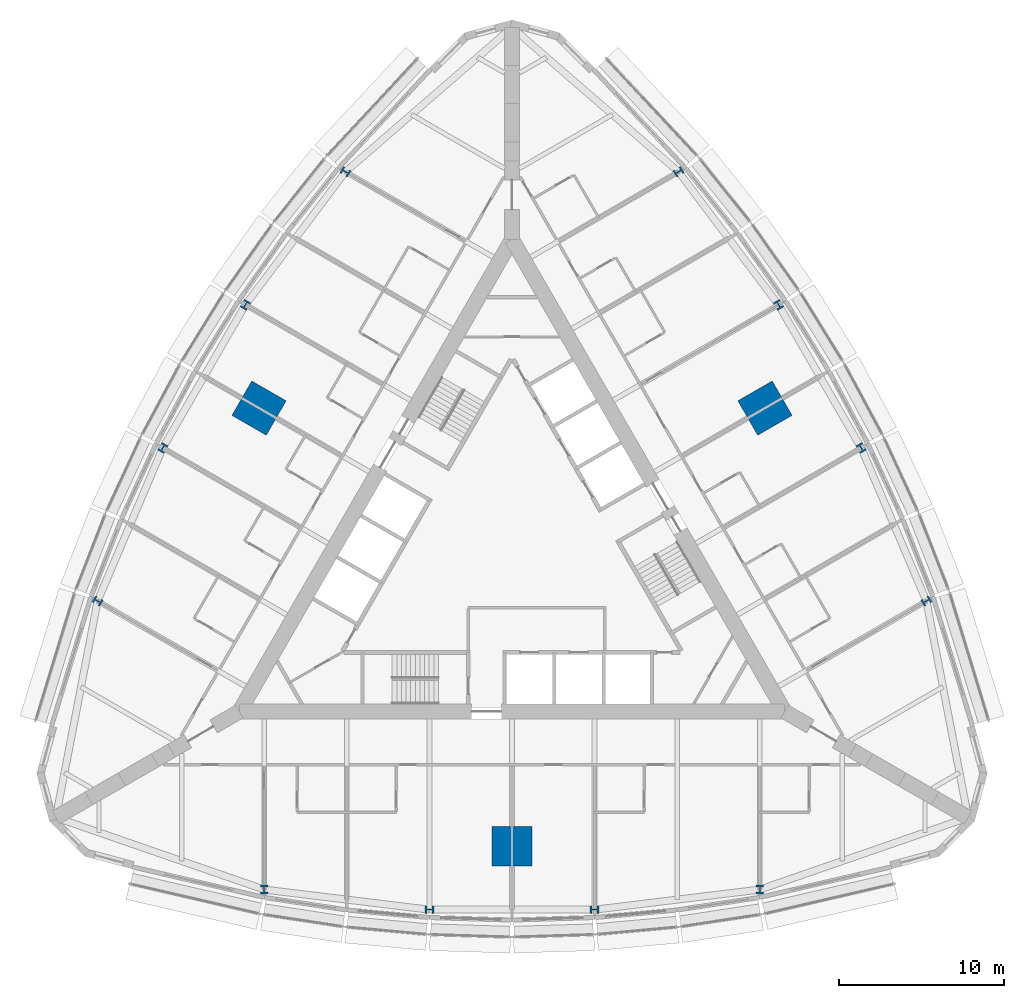
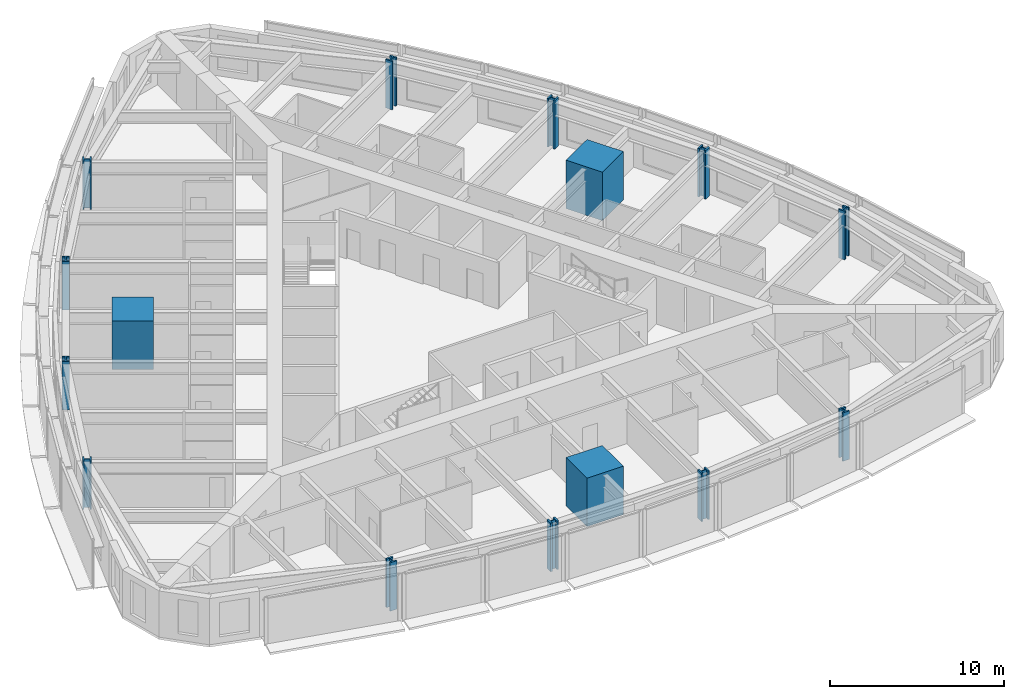
# One storey, part 1 of 14: 15 columns.
"""IFC4 building model written with IfcOpenShell, lengths in metres."""

import ifcopenshell
import ifcopenshell.guid

model = None  # the IFC model being written
_history = None  # IfcOwnerHistory: only IFC2X3 demands one
_inside = {}  # id of a spatial element -> (the spatial element, [elements in it])
_under = {}  # id of a project, library or spatial element -> (it, [spatial elements below it])
_declared = {}  # id of a project -> (the project, [libraries it declares])
_typed = {}  # id of a type object -> (the type object, [elements of that type])
_made_of = {}  # id of a material, layer set ... -> (it, [elements and type objects made of it])


def new_model(schema):
    """Start an empty IFC model of exactly this schema.

    Asked for "IFC4X3", IfcOpenShell would pick the latest addendum, in which some entities
    have other attributes; the version numbers below select the first issue.
    IFC2X3 requires an IfcOwnerHistory on every rooted entity: one is made here for all.
    """
    global model, _history
    if schema == "IFC4X3":
        model = ifcopenshell.file(schema_version=(4, 3, 0, 0))
    else:
        model = ifcopenshell.file(schema=schema)
    _inside.clear()
    _under.clear()
    _declared.clear()
    _typed.clear()
    _made_of.clear()
    _history = None
    if model.schema == "IFC2X3":
        org = make("IfcOrganization", Name="unknown")
        user = make(
            "IfcPersonAndOrganization",
            ThePerson=make("IfcPerson", FamilyName="unknown"),
            TheOrganization=org,
        )
        app = make(
            "IfcApplication",
            ApplicationDeveloper=org,
            Version="unknown",
            ApplicationFullName="unknown",
            ApplicationIdentifier="unknown",
        )
        _history = make(
            "IfcOwnerHistory",
            OwningUser=user,
            OwningApplication=app,
            ChangeAction="ADDED",
            CreationDate=0,
        )
    return model


def make(cls, **values):
    """One entity of the class cls with the attributes given. An attribute that is None is left unset."""
    return model.create_entity(
        cls, **{name: value for name, value in values.items() if value is not None}
    )


def rooted(cls, **values):
    """An entity with a GlobalId (a new one), such as an element, a storey or a relation."""
    return make(cls, GlobalId=ifcopenshell.guid.new(), OwnerHistory=_history, **values)


def si_unit(unit_type, name, prefix=None):
    """IfcSIUnit, for example si_unit("LENGTHUNIT", "METRE", prefix="MILLI")."""
    return make("IfcSIUnit", UnitType=unit_type, Prefix=prefix, Name=name)


def assignment(units):
    """IfcUnitAssignment: the units of a project."""
    return None if units is None else make("IfcUnitAssignment", Units=units)


def point(xyz):
    """IfcCartesianPoint."""
    return None if xyz is None else make("IfcCartesianPoint", Coordinates=xyz)


def direction(xyz):
    """IfcDirection."""
    return None if xyz is None else make("IfcDirection", DirectionRatios=xyz)


def frame(location, z_axis=None, x_axis=None):
    """IfcAxis2Placement3D, a coordinate frame: its origin and axes. An axis left out is left unset."""
    return make(
        "IfcAxis2Placement3D",
        Location=point(location),
        Axis=direction(z_axis),
        RefDirection=direction(x_axis),
    )


def frame_2d(location, x_axis=None):
    """IfcAxis2Placement2D, a coordinate frame in the plane: its origin and x axis."""
    return make(
        "IfcAxis2Placement2D", Location=point(location), RefDirection=direction(x_axis)
    )


def origin():
    """The frame at (0, 0, 0) with its axes left unset."""
    return frame((0.0, 0.0, 0.0))


def origin_2d():
    """The frame at (0, 0) in the plane with its x axis left unset."""
    return frame_2d((0.0, 0.0))


def place(relative_to, where):
    """IfcLocalPlacement: puts the frame where relative to a parent placement (None: the world)."""
    return make(
        "IfcLocalPlacement", PlacementRelTo=relative_to, RelativePlacement=where
    )


def context(
    kind, dimensions, precision=None, world=None, true_north=None, identifier=None
):
    """IfcGeometricRepresentationContext, for example the 3D "Model" context."""
    return make(
        "IfcGeometricRepresentationContext",
        ContextIdentifier=identifier,
        ContextType=kind,
        CoordinateSpaceDimension=dimensions,
        Precision=precision,
        WorldCoordinateSystem=world,
        TrueNorth=true_north,
    )


def subcontext(parent, identifier, kind, view, scale=None):
    """IfcGeometricRepresentationSubContext, for example "Body" below "Model"."""
    return make(
        "IfcGeometricRepresentationSubContext",
        ContextIdentifier=identifier,
        ContextType=kind,
        ParentContext=parent,
        TargetScale=scale,
        TargetView=view,
    )


def project(units=None, contexts=None):
    """IfcProject with its units and contexts."""
    return rooted(
        "IfcProject",
        Name="project",
        RepresentationContexts=contexts,
        UnitsInContext=assignment(units),
    )


def spatial(cls, under=None, at=None, **own):
    """A site, building, storey or space (cls), placed at a placement, below another one or the project."""
    s = rooted(cls, ObjectPlacement=at, **own)
    if under is not None:
        _under.setdefault(under.id(), (under, []))[1].append(s)
    return s


def profile(cls, at=None, kind="AREA", **sizes):
    """A parametric profile (cls). Its sizes go by their IFC names, for example OverallWidth=200.0."""
    return make(cls, ProfileType=kind, Position=at, **sizes)


def rectangle(**sizes):
    """IfcRectangleProfileDef."""
    return profile("IfcRectangleProfileDef", **sizes)


def i_section(**sizes):
    """IfcIShapeProfileDef."""
    return profile("IfcIShapeProfileDef", **sizes)


def extrude(swept, where, along, depth):
    """IfcExtrudedAreaSolid: the profile swept, set in the frame where, extruded along a direction by depth."""
    return make(
        "IfcExtrudedAreaSolid",
        SweptArea=swept,
        Position=where,
        ExtrudedDirection=direction(along),
        Depth=depth,
    )


def shape(context_of_items, identifier, shape_type, items):
    """IfcShapeRepresentation: the items that make up one representation, for example the "Body"."""
    return make(
        "IfcShapeRepresentation",
        ContextOfItems=context_of_items,
        RepresentationIdentifier=identifier,
        RepresentationType=shape_type,
        Items=items,
    )


def material(Name=None, Category=None):
    """IfcMaterial."""
    return make("IfcMaterial", Name=Name, Category=Category)


def material_profile(
    of_material, cross_section, Name=None, Category=None, Priority=None
):
    """IfcMaterialProfile: a cross section and its material."""
    return make(
        "IfcMaterialProfile",
        Name=Name,
        Material=of_material,
        Profile=cross_section,
        Priority=Priority,
        Category=Category,
    )


def profile_set(profiles, Name=None, composite=None):
    """IfcMaterialProfileSet."""
    return make(
        "IfcMaterialProfileSet",
        Name=Name,
        MaterialProfiles=profiles,
        CompositeProfile=composite,
    )


def made_of(thing, what):
    """Note that an element or type object is made of a material, layer set ...; save() writes the relation."""
    if what is not None:
        _made_of.setdefault(what.id(), (what, []))[1].append(thing)
    return thing


def type_object(cls, material=None, **own):
    """A type object (cls), such as IfcWallType, which elements share."""
    return made_of(rooted(cls, **own), material)


def element(
    cls,
    number,
    at=None,
    inside=None,
    cuts=None,
    type_object=None,
    material=None,
    context=None,
    identifier="Body",
    shape_type=None,
    held_by="IfcProductDefinitionShape",
    body=None,
    shapes=None,
    **own,
):
    """One element of the class cls, such as IfcWall. Its Tag is "e" and its number.

    at: its placement. inside: the storey or other place that contains it. cuts: it is an
    opening in that element (IfcRelVoidsElement). A single representation is given by context,
    identifier, shape_type and body (its items); several are given by shapes. held_by: the class
    of the entity that holds the representations. save() writes the other relations.
    """
    e = rooted(cls, Tag="e%d" % number, ObjectPlacement=at, **own)
    if body is not None:
        shapes = [shape(context, identifier, shape_type, body)]
    if shapes is not None:
        e.Representation = make(held_by, Representations=shapes)
    if inside is not None:
        _inside.setdefault(inside.id(), (inside, []))[1].append(e)
    if cuts is not None:
        rooted(
            "IfcRelVoidsElement", RelatingBuildingElement=cuts, RelatedOpeningElement=e
        )
    if type_object is not None:
        _typed.setdefault(type_object.id(), (type_object, []))[1].append(e)
    return made_of(e, material)


def aggregate(whole, parts):
    """IfcRelAggregates: a whole, such as a stair, and the parts it consists of."""
    return rooted("IfcRelAggregates", RelatingObject=whole, RelatedObjects=parts)


def save(model, path):
    """Write the relations noted so far, then the file.

    IfcRelAggregates (storeys below a building ...), IfcRelContainedInSpatialStructure (elements
    in a storey), IfcRelDefinesByType, IfcRelAssociatesMaterial and IfcRelDeclares: one each for
    every whole, place, type object, material and project.
    """
    for whole, parts in _under.values():
        aggregate(whole, parts)
    for where, things in _inside.values():
        rooted(
            "IfcRelContainedInSpatialStructure",
            RelatedElements=things,
            RelatingStructure=where,
        )
    for kind, things in _typed.values():
        rooted("IfcRelDefinesByType", RelatedObjects=things, RelatingType=kind)
    for what, things in _made_of.values():
        rooted("IfcRelAssociatesMaterial", RelatedObjects=things, RelatingMaterial=what)
    for by, libraries in _declared.values():
        rooted("IfcRelDeclares", RelatingContext=by, RelatedDefinitions=libraries)
    model.write(path)


model = new_model("IFC4")

# Units and contexts
model_context = context("Model", 3, precision=1e-05, world=origin(), true_north=direction((0.0, 1.0)))
body_context = subcontext(model_context, "Body", "Model", "MODEL_VIEW")
ifc_project = project(units=[si_unit("LENGTHUNIT", "METRE"), si_unit("AREAUNIT", "SQUARE_METRE"), si_unit("VOLUMEUNIT", "CUBIC_METRE"), si_unit("PLANEANGLEUNIT", "RADIAN"), si_unit("MASSUNIT", "GRAM", prefix="KILO")], contexts=[model_context])

# Site, building, storey
site_placement = place(None, origin())
site = spatial("IfcSite", under=ifc_project, at=site_placement, CompositionType="ELEMENT")
building_placement = place(site_placement, origin())
building = spatial("IfcBuilding", under=site, at=building_placement, Name="Trikona Tower", CompositionType="ELEMENT")
storey_placement = place(building_placement, frame((0.0, 0.0, 48.89990234375)))
storey = spatial("IfcBuildingStorey", under=building, at=storey_placement, Name="L11", CompositionType="ELEMENT", Elevation=48.89990234375)

# Columns
ifc_material_1 = material(Name="Concrete f'c 10000 psi with encased steel section", Category="concrete")
ifc_material_profile_1 = material_profile(ifc_material_1, rectangle(XDim=2.39990234375, YDim=2.39990234375, at=origin_2d()), Name="MC2400")
ifc_profile_set_1 = profile_set([ifc_material_profile_1], Name="Concrete f'c 10000 psi with encased steel section")
column_type_1 = type_object("IfcColumnType", Name="Composite mega column 2400x2400", PredefinedType="COLUMN", material=ifc_profile_set_1)
for number, where, z_axis, x_axis, name in (
    (1, (0.0, -17.680419921875, 0.0), (0.0, 0.0, 1.0), (0.0, -1.0, 0.0), "Mega column MC1"),
    (2, (15.311767578125, 8.84033203125, 0.0), (0.0, 0.0, 1.0), (0.866025403784, 0.5, 0.0), "Mega column MC2"),
    (3, (-15.311767578125, 8.84033203125, 0.0), (0.0, 0.0, 1.0), (-0.866025403784, 0.5, 0.0), "Mega column MC3"),
):
    element("IfcColumn", number, at=place(storey_placement, frame(where, z_axis=z_axis, x_axis=x_axis)), inside=storey, type_object=column_type_1, Name=name, PredefinedType="COLUMN", context=body_context, shape_type="SweptSolid", body=[
        extrude(rectangle(XDim=2.39990234375, YDim=2.39990234375, at=origin_2d()), origin(), (0.0, 0.0, 1.0), 3.400146484375),
    ])
ifc_material_2 = material(Name="Steel ASTM A992 Grade 50", Category="steel")
ifc_material_profile_2 = material_profile(ifc_material_2, i_section(OverallWidth=0.44189453125, OverallDepth=0.53076171875, WebThickness=0.06591796875, FlangeThickness=0.105712890625, at=origin_2d()), Name="W14X605")
ifc_profile_set_2 = profile_set([ifc_material_profile_2], Name="Steel ASTM A992 Grade 50")
column_type_2 = type_object("IfcColumnType", Name="Steel column W14x605", PredefinedType="COLUMN", material=ifc_profile_set_2)
for number, where, z_axis, x_axis, name in (
    (4, (-15.0, -20.302978515625, 0.0), (0.0, 0.0, 1.0), (1.0, 0.0, 0.0), "Column F0m15"),
    (5, (-5.0, -21.5205078125, 0.0), (0.0, 0.0, 1.0), (0.0, -1.0, 0.0), "Column F0m5"),
    (6, (5.0, -21.5205078125, 0.0), (0.0, 0.0, 1.0), (0.0, -1.0, 0.0), "Column F0p5"),
    (7, (15.0, -20.302978515625, 0.0), (0.0, 0.0, 1.0), (1.0, 0.0, 0.0), "Column F0p15"),
    (8, (25.0830078125, -2.8388671875, 0.0), (0.0, 0.0, 1.0), (-0.5, 0.866025403784, 0.0), "Column F1m15"),
    (9, (21.13720703125, 6.43017578125, 0.0), (0.0, 0.0, 1.0), (0.866025403784, 0.5, 0.0), "Column F1m5"),
    (10, (16.13720703125, 15.09033203125, 0.0), (0.0, 0.0, 1.0), (0.866025403784, 0.5, 0.0), "Column F1p5"),
    (11, (10.0830078125, 23.141845703125, 0.0), (0.0, 0.0, 1.0), (-0.5, 0.866025403784, 0.0), "Column F1p15"),
    (12, (-10.0830078125, 23.141845703125, 0.0), (0.0, 0.0, 1.0), (-0.5, -0.866025403784, 0.0), "Column F2m15"),
    (13, (-16.13720703125, 15.09033203125, 0.0), (0.0, 0.0, 1.0), (-0.866025403784, 0.5, 0.0), "Column F2m5"),
    (14, (-21.13720703125, 6.43017578125, 0.0), (0.0, 0.0, 1.0), (-0.866025403784, 0.5, 0.0), "Column F2p5"),
    (15, (-25.0830078125, -2.8388671875, 0.0), (0.0, 0.0, 1.0), (-0.5, -0.866025403784, 0.0), "Column F2p15"),
):
    element("IfcColumn", number, at=place(storey_placement, frame(where, z_axis=z_axis, x_axis=x_axis)), inside=storey, type_object=column_type_2, Name=name, PredefinedType="COLUMN", context=body_context, shape_type="SweptSolid", body=[
        extrude(i_section(OverallWidth=0.44189453125, OverallDepth=0.53076171875, WebThickness=0.06591796875, FlangeThickness=0.105712890625, at=origin_2d()), origin(), (0.0, 0.0, 1.0), 3.400146484375),
    ])

save(model, "model.ifc")
